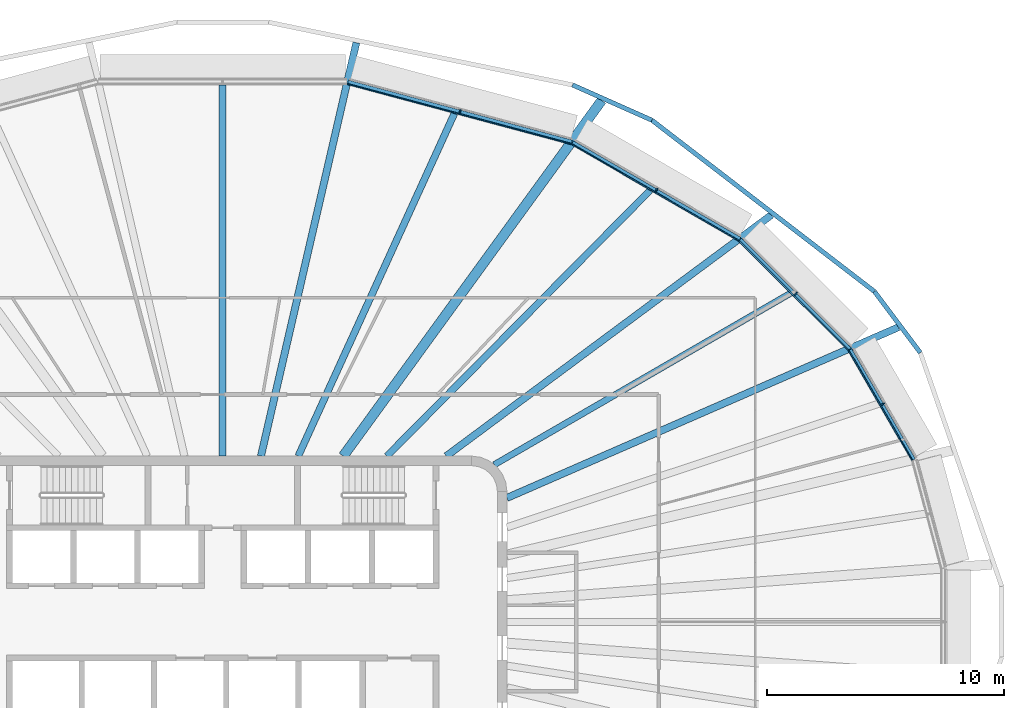
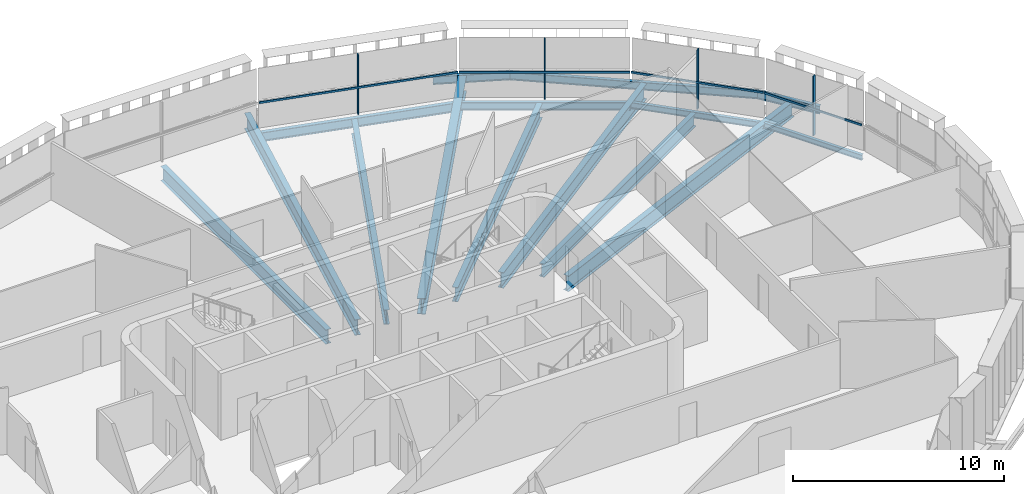
# One storey, part 6 of 20: 15 beams, 8 members, 4 elements without a shape of their own.
"""IFC4 building model written with IfcOpenShell, lengths in metres."""

from ifc_helpers import new_model, si_unit, direction, frame, origin, origin_2d, place, context, subcontext, project, spatial, rectangle, i_section, extrude, material, layer, layer_set, material_profile, profile_set, type_object, element, aggregate, save


model = new_model("IFC4")

# Units and contexts
model_context = context("Model", 3, precision=1e-05, world=origin(), true_north=direction((0.0, 1.0)))
body_context = subcontext(model_context, "Body", "Model", "MODEL_VIEW")
ifc_project = project(units=[si_unit("LENGTHUNIT", "METRE"), si_unit("AREAUNIT", "SQUARE_METRE"), si_unit("VOLUMEUNIT", "CUBIC_METRE"), si_unit("PLANEANGLEUNIT", "RADIAN"), si_unit("MASSUNIT", "GRAM", prefix="KILO")], contexts=[model_context])

# Site, building, storey
site_placement = place(None, origin())
site = spatial("IfcSite", under=ifc_project, at=site_placement, CompositionType="ELEMENT")
building_placement = place(site_placement, origin())
building = spatial("IfcBuilding", under=site, at=building_placement, Name="Sahrelin Media Tower", CompositionType="ELEMENT")
storey_placement = place(building_placement, frame((0.0, 0.0, 221.60009765625)))
storey = spatial("IfcBuildingStorey", under=building, at=storey_placement, Name="L47", CompositionType="ELEMENT", Elevation=221.60009765625)

# Beams
ifc_material_1 = material(Name="Steel S355", Category="steel")
ifc_material_profile_1 = material_profile(ifc_material_1, i_section(OverallWidth=0.1650390625, OverallDepth=0.303466796875, WebThickness=0.006103515625, FlangeThickness=0.01025390625, FilletRadius=0.0087890625, at=origin_2d()), Name="UB 305x165x40")
ifc_profile_set_1 = profile_set([ifc_material_profile_1], Name="Steel S355")
beam_type_1 = type_object("IfcBeamType", Name="Edge beam EB2", PredefinedType="BEAM", material=ifc_profile_set_1)
beam_1_placement = place(storey_placement, frame((26.484130859375, 11.4921875, -0.3017578125), z_axis=(0.500036390221, -0.866004392861, 0.0), x_axis=(0.866004392861, 0.500036390221, 0.0)))
element("IfcBeam", 1, at=beam_1_placement, inside=storey, type_object=beam_type_1, Name="Edge beam L47-23", PredefinedType="BEAM", context=body_context, shape_type="SweptSolid", body=[
    extrude(i_section(OverallWidth=0.1650390625, OverallDepth=0.303466796875, WebThickness=0.006103515625, FlangeThickness=0.01025390625, FilletRadius=0.0087890625, at=origin_2d()), origin(), (0.0, 0.0, 1.0), 5.36279296875),
])
ifc_material_profile_2 = material_profile(ifc_material_1, i_section(OverallWidth=0.17138671875, OverallDepth=0.35498046875, WebThickness=0.00732421875, FlangeThickness=0.011474609375, FilletRadius=0.01025390625, at=origin_2d()), Name="UB 356x171x51")
ifc_profile_set_2 = profile_set([ifc_material_profile_2], Name="Steel S355")
beam_type_2 = type_object("IfcBeamType", Name="Edge beam EB3", PredefinedType="BEAM", material=ifc_profile_set_2)
beam_2_placement = place(storey_placement, frame((21.84912109375, 16.1328125, -0.32763671875), z_axis=(0.707088087763, -0.707125474116, 0.0), x_axis=(0.707125474116, 0.707088087763, 0.0)))
element("IfcBeam", 2, at=beam_2_placement, inside=storey, type_object=beam_type_2, Name="Edge beam L47-22", PredefinedType="BEAM", context=body_context, shape_type="SweptSolid", body=[
    extrude(i_section(OverallWidth=0.17138671875, OverallDepth=0.35498046875, WebThickness=0.00732421875, FlangeThickness=0.011474609375, FilletRadius=0.01025390625, at=origin_2d()), origin(), (0.0, 0.0, 1.0), 6.5302734375),
])
ifc_material_profile_3 = material_profile(ifc_material_1, i_section(OverallWidth=0.1904296875, OverallDepth=0.45703125, WebThickness=0.009033203125, FlangeThickness=0.014404296875, FilletRadius=0.01025390625, at=origin_2d()), Name="UB 457x191x74")
ifc_profile_set_3 = profile_set([ifc_material_profile_3], Name="Steel S355")
beam_type_3 = type_object("IfcBeamType", Name="Edge beam EB5", PredefinedType="BEAM", material=ifc_profile_set_3)
beam_3_placement = place(storey_placement, frame((14.763427734375, 20.22802734375, -0.378662109375), z_axis=(0.866014591954, -0.500018726171, 0.0), x_axis=(0.500018726171, 0.866014591954, 0.0)))
element("IfcBeam", 3, at=beam_3_placement, inside=storey, type_object=beam_type_3, Name="Edge beam L47-21", PredefinedType="BEAM", context=body_context, shape_type="SweptSolid", body=[
    extrude(i_section(OverallWidth=0.1904296875, OverallDepth=0.45703125, WebThickness=0.009033203125, FlangeThickness=0.014404296875, FilletRadius=0.01025390625, at=origin_2d()), origin(), (0.0, 0.0, 1.0), 8.155517578125),
])
ifc_material_profile_4 = material_profile(ifc_material_1, i_section(OverallWidth=0.208740234375, OverallDepth=0.5283203125, WebThickness=0.009521484375, FlangeThickness=0.01318359375, FilletRadius=0.0126953125, at=origin_2d()), Name="UB 533x210x82")
ifc_profile_set_4 = profile_set([ifc_material_profile_4], Name="Steel S355")
beam_type_4 = type_object("IfcBeamType", Name="Edge beam EB6", PredefinedType="BEAM", material=ifc_profile_set_4)
beam_4_placement = place(storey_placement, frame((5.2841796875, 22.771728515625, -0.414306640625), z_axis=(0.965928675472, -0.258808411575, 0.0), x_axis=(0.258808411575, 0.965928675472, 0.0)))
element("IfcBeam", 4, at=beam_4_placement, inside=storey, type_object=beam_type_4, Name="Edge beam L47-20", PredefinedType="BEAM", context=body_context, shape_type="SweptSolid", body=[
    extrude(i_section(OverallWidth=0.208740234375, OverallDepth=0.5283203125, WebThickness=0.009521484375, FlangeThickness=0.01318359375, FilletRadius=0.0126953125, at=origin_2d()), origin(), (0.0, 0.0, 1.0), 9.7861328125),
])

# Curtain wall, member
ifc_material_2 = material(Name="Champagne anodised aluminium 6063-T6", Category="aluminium")
ifc_layer = layer(ifc_material_2, 0.14990234375)
ifc_layer_set = layer_set([ifc_layer], Name="Tower ribbon curtain wall")
curtain_wall_type = type_object("IfcCurtainWallType", Name="Tower ribbon curtain wall", PredefinedType="NOTDEFINED", material=ifc_layer_set)
curtain_wall_1_placement = place(storey_placement, frame((27.954833984375, 9.2451171875, 0.0), z_axis=(0.0, 0.0, 1.0), x_axis=(1.0, 0.0, 0.0)))
curtain_wall_1 = element("IfcCurtainWall", 5, at=curtain_wall_1_placement, inside=storey, type_object=curtain_wall_type, Name="L47:CW:L47-02", PredefinedType="NOTDEFINED")
ifc_material_profile_5 = material_profile(ifc_material_2, rectangle(XDim=0.06005859375, YDim=0.175048828125, at=origin_2d()), Name="Mullion 60x175")
ifc_profile_set_5 = profile_set([ifc_material_profile_5], Name="Champagne anodised aluminium 6063-T6")
member_type_1 = type_object("IfcMemberType", Name="Mullion 60x175 CW1B", PredefinedType="MULLION", material=ifc_profile_set_5)
member_1_placement = place(storey_placement, frame((27.86181640625, 9.19140625, 0.0), z_axis=(0.0, 0.0, 1.0), x_axis=(-0.5, 0.866025403784, 0.0)))
member_1 = element("IfcMember", 6, at=member_1_placement, type_object=member_type_1, Name="L47:CWM:L47-02", PredefinedType="MULLION", context=body_context, shape_type="SweptSolid", body=[
    extrude(rectangle(XDim=0.06005859375, YDim=0.175048828125, at=origin_2d()), origin(), (0.0, 0.0, 1.0), 3.448486328125),
])

curtain_wall_2_placement = place(storey_placement, frame((24.263916015625, 13.929931640625, 0.0), z_axis=(0.0, 0.0, 1.0), x_axis=(1.0, 0.0, 0.0)))
curtain_wall_2 = element("IfcCurtainWall", 7, at=curtain_wall_2_placement, inside=storey, type_object=curtain_wall_type, Name="L47:CW:L47-03", PredefinedType="NOTDEFINED")
member_2_placement = place(storey_placement, frame((24.187744140625, 13.85400390625, 0.0), z_axis=(0.0, 0.0, 1.0), x_axis=(-0.707114185953, 0.707099376343, 0.0)))
member_2 = element("IfcMember", 8, at=member_2_placement, type_object=member_type_1, Name="L47:CWM:L47-03", PredefinedType="MULLION", context=body_context, shape_type="SweptSolid", body=[
    extrude(rectangle(XDim=0.06005859375, YDim=0.175048828125, at=origin_2d()), origin(), (0.0, 0.0, 1.0), 3.448486328125),
])

curtain_wall_3_placement = place(storey_placement, frame((18.36962890625, 18.319091796875, 0.0), z_axis=(0.0, 0.0, 1.0), x_axis=(1.0, 0.0, 0.0)))
curtain_wall_3 = element("IfcCurtainWall", 9, at=curtain_wall_3_placement, inside=storey, type_object=curtain_wall_type, Name="L47:CW:L47-04", PredefinedType="NOTDEFINED")
member_3_placement = place(storey_placement, frame((18.31591796875, 18.225830078125, 0.0), z_axis=(0.0, 0.0, 1.0), x_axis=(-0.866022785779, 0.500004534492, 0.0)))
member_3 = element("IfcMember", 10, at=member_3_placement, type_object=member_type_1, Name="L47:CWM:L47-04", PredefinedType="MULLION", context=body_context, shape_type="SweptSolid", body=[
    extrude(rectangle(XDim=0.06005859375, YDim=0.175048828125, at=origin_2d()), origin(), (0.0, 0.0, 1.0), 3.448486328125),
])

curtain_wall_4_placement = place(storey_placement, frame((10.04931640625, 21.650390625, 0.0), z_axis=(0.0, 0.0, 1.0), x_axis=(1.0, 0.0, 0.0)))
curtain_wall_4 = element("IfcCurtainWall", 11, at=curtain_wall_4_placement, inside=storey, type_object=curtain_wall_type, Name="L47:CW:L47-05", PredefinedType="NOTDEFINED")
member_4_placement = place(storey_placement, frame((10.021484375, 21.54638671875, 0.0), z_axis=(0.0, 0.0, 1.0), x_axis=(-0.965924471102, 0.258824102675, 0.0)))
member_4 = element("IfcMember", 12, at=member_4_placement, type_object=member_type_1, Name="L47:CWM:L47-05", PredefinedType="MULLION", context=body_context, shape_type="SweptSolid", body=[
    extrude(rectangle(XDim=0.06005859375, YDim=0.175048828125, at=origin_2d()), origin(), (0.0, 0.0, 1.0), 3.448486328125),
])

# Beams
ifc_material_profile_6 = material_profile(ifc_material_1, i_section(OverallWidth=0.30322265625, OverallDepth=0.903076171875, WebThickness=0.01513671875, FlangeThickness=0.020263671875, FilletRadius=0.01904296875, at=origin_2d()), Name="UB 914x305x201")
ifc_profile_set_6 = profile_set([ifc_material_profile_6], Name="Steel S355")
beam_type_5 = type_object("IfcBeamType", Name="Radial primary beam PB11", PredefinedType="BEAM", material=ifc_profile_set_6)
beam_5_placement = place(storey_placement, frame((12.0, 5.232421875, -0.6015625), z_axis=(0.916652335259, 0.399685496691, 0.0), x_axis=(-0.399685496691, 0.916652335259, 0.0)))
element("IfcBeam", 13, at=beam_5_placement, inside=storey, type_object=beam_type_5, Name="Radial beam L47-03", PredefinedType="BEAM", context=body_context, shape_type="SweptSolid", body=[
    extrude(i_section(OverallWidth=0.30322265625, OverallDepth=0.903076171875, WebThickness=0.01513671875, FlangeThickness=0.020263671875, FilletRadius=0.01904296875, at=origin_2d()), origin(), (0.0, 0.0, 1.0), 18.029296875),
])
beam_6_placement = place(storey_placement, frame((9.439697265625, 7.0, -0.6015625), z_axis=(0.803237858259, 0.59565841139, 0.0), x_axis=(-0.59565841139, 0.803237858259, 0.0)))
element("IfcBeam", 14, at=beam_6_placement, inside=storey, type_object=beam_type_5, Name="Radial beam L47-04", PredefinedType="BEAM", context=body_context, shape_type="SweptSolid", body=[
    extrude(i_section(OverallWidth=0.30322265625, OverallDepth=0.903076171875, WebThickness=0.01513671875, FlangeThickness=0.020263671875, FilletRadius=0.01904296875, at=origin_2d()), origin(), (0.0, 0.0, 1.0), 17.08447265625),
])
beam_7_placement = place(storey_placement, frame((1.615234375, 7.0, -0.6015625), z_axis=(0.224829640929, 0.974398087313, 0.0), x_axis=(-0.974398087313, 0.224829640929, 0.0)))
element("IfcBeam", 15, at=beam_7_placement, inside=storey, type_object=beam_type_5, Name="Radial beam L47-06", PredefinedType="BEAM", context=body_context, shape_type="SweptSolid", body=[
    extrude(i_section(OverallWidth=0.30322265625, OverallDepth=0.903076171875, WebThickness=0.01513671875, FlangeThickness=0.020263671875, FilletRadius=0.01904296875, at=origin_2d()), origin(), (0.0, 0.0, 1.0), 17.91064453125),
])
ifc_material_profile_7 = material_profile(ifc_material_1, i_section(OverallWidth=0.41845703125, OverallDepth=0.911865234375, WebThickness=0.019287109375, FlangeThickness=0.031982421875, FilletRadius=0.024169921875, at=origin_2d()), Name="UB 914x419x343")
ifc_profile_set_7 = profile_set([ifc_material_profile_7], Name="Steel S355")
beam_type_6 = type_object("IfcBeamType", Name="Radial primary beam PB12", PredefinedType="BEAM", material=ifc_profile_set_7)
beam_8_placement = place(storey_placement, frame((5.087646484375, 7.0, -0.60595703125), z_axis=(0.587924542129, 0.808915776063, 0.0), x_axis=(-0.808915776063, 0.587924542129, 0.0)))
element("IfcBeam", 16, at=beam_8_placement, inside=storey, type_object=beam_type_6, Name="Radial beam L47-05", PredefinedType="BEAM", context=body_context, shape_type="SweptSolid", body=[
    extrude(i_section(OverallWidth=0.41845703125, OverallDepth=0.911865234375, WebThickness=0.019287109375, FlangeThickness=0.031982421875, FilletRadius=0.024169921875, at=origin_2d()), origin(), (0.0, 0.0, 1.0), 18.56201171875),
])
ifc_material_profile_8 = material_profile(ifc_material_1, i_section(OverallWidth=0.291748046875, OverallDepth=0.8349609375, WebThickness=0.013916015625, FlangeThickness=0.018798828125, FilletRadius=0.017822265625, at=origin_2d()), Name="UB 838x292x176")
ifc_profile_set_8 = profile_set([ifc_material_profile_8], Name="Steel S355")
beam_type_7 = type_object("IfcBeamType", Name="Radial secondary beam SB10", PredefinedType="BEAM", material=ifc_profile_set_8)
beam_9_placement = place(storey_placement, frame((6.93310546875, 7.0, -0.567626953125), z_axis=(0.703713507943, 0.71048384833, 0.0), x_axis=(-0.71048384833, 0.703713507943, 0.0)))
element("IfcBeam", 17, at=beam_9_placement, inside=storey, type_object=beam_type_7, Name="Secondary beam L47-04", PredefinedType="BEAM", context=body_context, shape_type="SweptSolid", body=[
    extrude(i_section(OverallWidth=0.291748046875, OverallDepth=0.8349609375, WebThickness=0.013916015625, FlangeThickness=0.018798828125, FilletRadius=0.017822265625, at=origin_2d()), origin(), (0.0, 0.0, 1.0), 15.79443359375),
])
beam_10_placement = place(storey_placement, frame((3.190185546875, 7.0, -0.567626953125), z_axis=(0.41471955526, 0.909949279073, 0.0), x_axis=(-0.909949279073, 0.41471955526, 0.0)))
element("IfcBeam", 18, at=beam_10_placement, inside=storey, type_object=beam_type_7, Name="Secondary beam L47-05", PredefinedType="BEAM", context=body_context, shape_type="SweptSolid", body=[
    extrude(i_section(OverallWidth=0.291748046875, OverallDepth=0.8349609375, WebThickness=0.013916015625, FlangeThickness=0.018798828125, FilletRadius=0.017822265625, at=origin_2d()), origin(), (0.0, 0.0, 1.0), 15.889892578125),
])
beam_11_placement = place(storey_placement, frame((0.0, 7.0, -0.567626953125), z_axis=(0.0, 1.0, 0.0), x_axis=(-1.0, 0.0, 0.0)))
element("IfcBeam", 19, at=beam_11_placement, inside=storey, type_object=beam_type_7, Name="Secondary beam L47-06", PredefinedType="BEAM", context=body_context, shape_type="SweptSolid", body=[
    extrude(i_section(OverallWidth=0.291748046875, OverallDepth=0.8349609375, WebThickness=0.013916015625, FlangeThickness=0.018798828125, FilletRadius=0.017822265625, at=origin_2d()), origin(), (0.0, 0.0, 1.0), 15.661865234375),
])
ifc_material_profile_9 = material_profile(ifc_material_1, i_section(OverallWidth=0.26513671875, OverallDepth=0.75390625, WebThickness=0.0126953125, FlangeThickness=0.017578125, FilletRadius=0.0166015625, at=origin_2d()), Name="UB 762x267x147")
ifc_profile_set_9 = profile_set([ifc_material_profile_9], Name="Steel S355")
beam_type_8 = type_object("IfcBeamType", Name="Radial secondary beam SB9", PredefinedType="BEAM", material=ifc_profile_set_9)
beam_12_placement = place(storey_placement, frame((11.46435546875, 6.634521484375, -0.527099609375), z_axis=(0.86550833259, 0.50089452604, 0.0), x_axis=(-0.50089452604, 0.86550833259, 0.0)))
element("IfcBeam", 20, at=beam_12_placement, inside=storey, type_object=beam_type_8, Name="Secondary beam L47-03", PredefinedType="BEAM", context=body_context, shape_type="SweptSolid", body=[
    extrude(i_section(OverallWidth=0.26513671875, OverallDepth=0.75390625, WebThickness=0.0126953125, FlangeThickness=0.017578125, FilletRadius=0.0166015625, at=origin_2d()), origin(), (0.0, 0.0, 1.0), 14.46240234375),
])
ifc_material_profile_10 = material_profile(ifc_material_1, i_section(OverallWidth=0.1904296875, OverallDepth=0.45703125, WebThickness=0.009033203125, FlangeThickness=0.014404296875, FilletRadius=0.01025390625, at=origin_2d()), Name="UB 457x191x74")
ifc_profile_set_10 = profile_set([ifc_material_profile_10], Name="Steel S355")
beam_type_9 = type_object("IfcBeamType", Name="Tie chord TC5", PredefinedType="BEAM", material=ifc_profile_set_10)
beam_13_placement = place(storey_placement, frame((29.44970703125, 11.366455078125, -0.378662109375), z_axis=(-0.600036323941, 0.799972755755, 0.0), x_axis=(-0.799972755755, -0.600036323941, 0.0)))
element("IfcBeam", 21, at=beam_13_placement, inside=storey, type_object=beam_type_9, Name="Tie chord L47-02", PredefinedType="BEAM", context=body_context, shape_type="SweptSolid", body=[
    extrude(i_section(OverallWidth=0.1904296875, OverallDepth=0.45703125, WebThickness=0.009033203125, FlangeThickness=0.014404296875, FilletRadius=0.01025390625, at=origin_2d()), origin(), (0.0, 0.0, 1.0), 3.22607421875),
])
beam_14_placement = place(storey_placement, frame((27.513916015625, 13.947265625, -0.378662109375), z_axis=(-0.792436365958, 0.609954593316, 0.0), x_axis=(-0.609954593316, -0.792436365958, 0.0)))
element("IfcBeam", 22, at=beam_14_placement, inside=storey, type_object=beam_type_9, Name="Tie chord L47-03", PredefinedType="BEAM", context=body_context, shape_type="SweptSolid", body=[
    extrude(i_section(OverallWidth=0.1904296875, OverallDepth=0.45703125, WebThickness=0.009033203125, FlangeThickness=0.014404296875, FilletRadius=0.01025390625, at=origin_2d()), origin(), (0.0, 0.0, 1.0), 11.853759765625),
])
beam_15_placement = place(storey_placement, frame((18.12060546875, 21.177490234375, -0.378662109375), z_axis=(-0.913836241537, 0.406082902439, 0.0), x_axis=(-0.406082902439, -0.913836241537, 0.0)))
element("IfcBeam", 23, at=beam_15_placement, inside=storey, type_object=beam_type_9, Name="Tie chord L47-04", PredefinedType="BEAM", context=body_context, shape_type="SweptSolid", body=[
    extrude(i_section(OverallWidth=0.1904296875, OverallDepth=0.45703125, WebThickness=0.009033203125, FlangeThickness=0.014404296875, FilletRadius=0.01025390625, at=origin_2d()), origin(), (0.0, 0.0, 1.0), 3.669189453125),
])

# Member
ifc_material_profile_11 = material_profile(ifc_material_2, rectangle(XDim=0.050048828125, YDim=0.110107421875, at=origin_2d()), Name="Transom 50x110")
ifc_profile_set_11 = profile_set([ifc_material_profile_11], Name="Champagne anodised aluminium 6063-T6")
member_type_2 = type_object("IfcMemberType", Name="Transom 50x110 CW1B", PredefinedType="USERDEFINED", material=ifc_profile_set_11)
member_5_placement = place(storey_placement, frame((29.09716796875, 6.826416015625, 1.599853515625), z_axis=(-0.500005210312, 0.866022395588, 0.0), x_axis=(-0.866022395588, -0.500005210312, 0.0)))
member_5 = element("IfcMember", 24, at=member_5_placement, type_object=member_type_2, Name="L47:CWT:L47-02", ObjectType="TRANSOM", PredefinedType="USERDEFINED", context=body_context, shape_type="SweptSolid", body=[
    extrude(rectangle(XDim=0.050048828125, YDim=0.110107421875, at=origin_2d()), origin(), (0.0, 0.0, 1.0), 5.33154296875),
])

aggregate(curtain_wall_1, [member_1, member_5])

member_6_placement = place(storey_placement, frame((26.406005859375, 11.476806640625, 1.599853515625), z_axis=(-0.707125564488, 0.707087997386, 0.0), x_axis=(-0.707087997386, -0.707125564488, 0.0)))
member_6 = element("IfcMember", 25, at=member_6_placement, type_object=member_type_2, Name="L47:CWT:L47-03", ObjectType="TRANSOM", PredefinedType="USERDEFINED", context=body_context, shape_type="SweptSolid", body=[
    extrude(rectangle(XDim=0.050048828125, YDim=0.110107421875, at=origin_2d()), origin(), (0.0, 0.0, 1.0), 6.498779296875),
])

aggregate(curtain_wall_2, [member_2, member_6])

member_7_placement = place(storey_placement, frame((21.777587890625, 16.097412109375, 1.599853515625), z_axis=(-0.866026445548, 0.499998195608, 0.0), x_axis=(-0.499998195608, -0.866026445548, 0.0)))
member_7 = element("IfcMember", 26, at=member_7_placement, type_object=member_type_2, Name="L47:CWT:L47-04", ObjectType="TRANSOM", PredefinedType="USERDEFINED", context=body_context, shape_type="SweptSolid", body=[
    extrude(rectangle(XDim=0.050048828125, YDim=0.110107421875, at=origin_2d()), origin(), (0.0, 0.0, 1.0), 8.1240234375),
])

aggregate(curtain_wall_3, [member_3, member_7])

member_8_placement = place(storey_placement, frame((14.70361328125, 20.17529296875, 1.599853515625), z_axis=(-0.965921015367, 0.258836999039, 0.0), x_axis=(-0.258836999039, -0.965921015367, 0.0)))
member_8 = element("IfcMember", 27, at=member_8_placement, type_object=member_type_2, Name="L47:CWT:L47-05", ObjectType="TRANSOM", PredefinedType="USERDEFINED", context=body_context, shape_type="SweptSolid", body=[
    extrude(rectangle(XDim=0.050048828125, YDim=0.110107421875, at=origin_2d()), origin(), (0.0, 0.0, 1.0), 9.7548828125),
])

aggregate(curtain_wall_4, [member_4, member_8])

save(model, "model.ifc")
